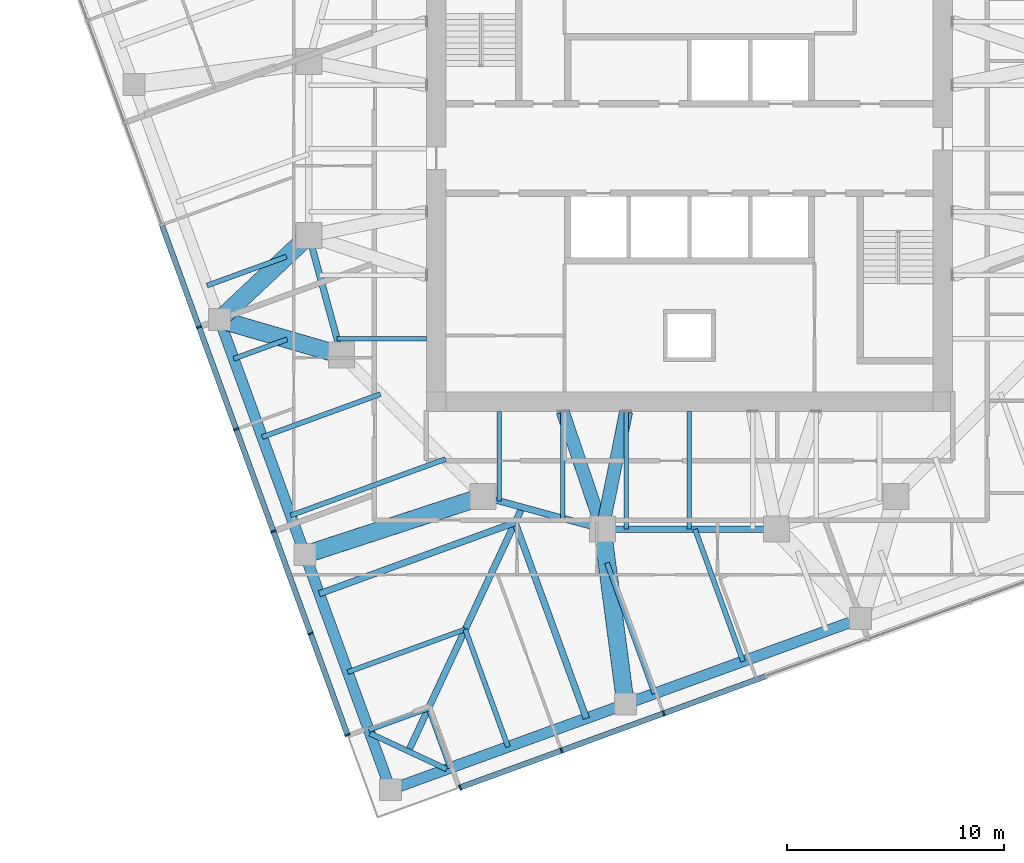
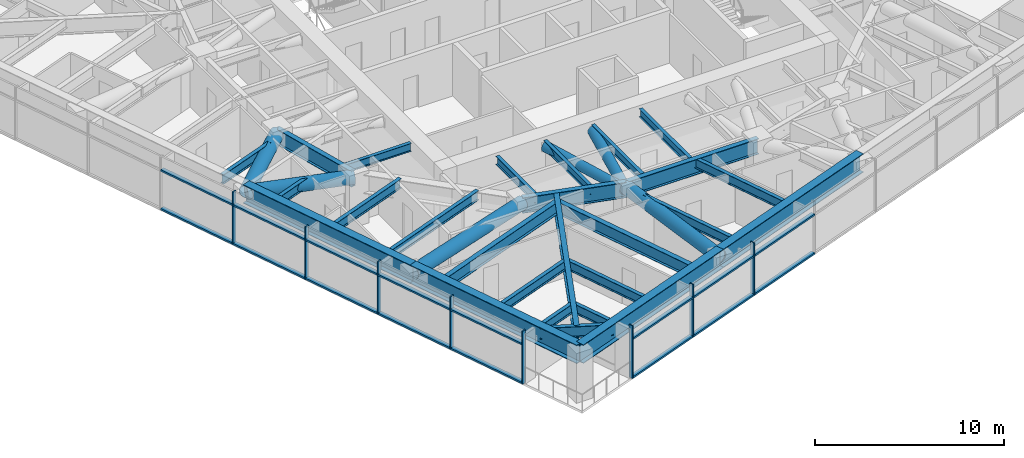
# One storey, part 2 of 16: 30 members, 26 beams, 2 elements without a shape of their own.
"""IFC4 building model written with IfcOpenShell, lengths in metres."""

from ifc_helpers import new_model, si_unit, direction, frame, origin, origin_2d, place, context, subcontext, project, spatial, rectangle, hollow_circle, i_section, extrude, material, material_profile, profile_set, type_object, element, aggregate, save


model = new_model("IFC4")

# Units and contexts
model_context = context("Model", 3, precision=1e-05, world=origin(), true_north=direction((0.0, 1.0)))
body_context = subcontext(model_context, "Body", "Model", "MODEL_VIEW")
ifc_project = project(units=[si_unit("LENGTHUNIT", "METRE"), si_unit("AREAUNIT", "SQUARE_METRE"), si_unit("VOLUMEUNIT", "CUBIC_METRE"), si_unit("PLANEANGLEUNIT", "RADIAN"), si_unit("MASSUNIT", "GRAM", prefix="KILO")], contexts=[model_context])

# Site, building, storey
site_placement = place(None, origin())
site = spatial("IfcSite", under=ifc_project, at=site_placement, CompositionType="ELEMENT")
building_placement = place(site_placement, origin())
building = spatial("IfcBuilding", under=site, at=building_placement, Name="Torsade Residences", CompositionType="ELEMENT")
storey_placement = place(building_placement, frame((0.0, 0.0, 167.60009765625)))
storey = spatial("IfcBuildingStorey", under=building, at=storey_placement, Name="L46", CompositionType="ELEMENT", Elevation=167.60009765625)

# Beams
ifc_material_1 = material(Name="Steel grade 300", Category="steel")
ifc_material_profile_1 = material_profile(ifc_material_1, i_section(OverallWidth=0.300048828125, OverallDepth=1.0, WebThickness=0.01611328125, FlangeThickness=0.028076171875, at=origin_2d()), Name="1000WB215")
ifc_profile_set_1 = profile_set([ifc_material_profile_1], Name="Steel grade 300")
beam_type_1 = type_object("IfcBeamType", Name="CORNER GIRDER 1000WB215", PredefinedType="BEAM", material=ifc_profile_set_1)
beam_1_placement = place(storey_placement, frame((27.075439453125, 2.282958984375, 2.699951171875), z_axis=(0.422616712682, 0.906308509373, 0.0), x_axis=(-0.906308509373, 0.422616712682, 0.0)))
element("IfcBeam", 1, at=beam_1_placement, inside=storey, type_object=beam_type_1, Name="Corner girder 01 L47", PredefinedType="BEAM", context=body_context, shape_type="SweptSolid", body=[
    extrude(i_section(OverallWidth=0.300048828125, OverallDepth=1.0, WebThickness=0.01611328125, FlangeThickness=0.028076171875, at=origin_2d()), origin(), (0.0, 0.0, 1.0), 12.3837890625),
])
ifc_material_2 = material(Name="Steel grade 300", Category="steel")
ifc_material_profile_2 = material_profile(ifc_material_2, i_section(OverallWidth=0.25, OverallDepth=0.699951171875, WebThickness=0.010009765625, FlangeThickness=0.02001953125, at=origin_2d()), Name="700WB130")
ifc_profile_set_2 = profile_set([ifc_material_profile_2], Name="Steel grade 300")
beam_type_2 = type_object("IfcBeamType", Name="CORNER TRIMMER 700WB130", PredefinedType="BEAM", material=ifc_profile_set_2)
beam_2_placement = place(storey_placement, frame((28.837646484375, 1.461181640625, 2.849853515625), z_axis=(-0.906309798645, 0.422613947806, 0.0), x_axis=(-0.422613947806, -0.906309798645, 0.0)))
element("IfcBeam", 2, at=beam_2_placement, inside=storey, type_object=beam_type_2, Name="Corner trimmer 01 L47", PredefinedType="BEAM", context=body_context, shape_type="SweptSolid", body=[
    extrude(i_section(OverallWidth=0.25, OverallDepth=0.699951171875, WebThickness=0.010009765625, FlangeThickness=0.02001953125, at=origin_2d()), origin(), (0.0, 0.0, 1.0), 3.888916015625),
])
ifc_material_3 = material(Name="Steel grade 300", Category="steel")
ifc_material_profile_3 = material_profile(ifc_material_3, i_section(OverallWidth=0.208984375, OverallDepth=0.528076171875, WebThickness=0.009521484375, FlangeThickness=0.01318359375, FilletRadius=0.013916015625, at=origin_2d()), Name="530UB82.0")
ifc_profile_set_3 = profile_set([ifc_material_profile_3], Name="Steel grade 300")
beam_type_3 = type_object("IfcBeamType", Name="INNER FLOOR BEAM 530UB82.0", PredefinedType="JOIST", material=ifc_profile_set_3)
for number, where, z_axis, x_axis, name in (
    (3, (40.0, 17.89990234375, 2.935791015625), (0.0, -1.0, 0.0), (1.0, 0.0, 0.0), "Inner floor beam IS04 L47"),
    (4, (37.08740234375, 17.89990234375, 2.935791015625), (0.0, -1.0, 0.0), (1.0, 0.0, 0.0), "Inner floor beam IS05 L47"),
):
    element("IfcBeam", number, at=place(storey_placement, frame(where, z_axis=z_axis, x_axis=x_axis)), inside=storey, type_object=beam_type_3, Name=name, PredefinedType="JOIST", context=body_context, shape_type="SweptSolid", body=[
        extrude(i_section(OverallWidth=0.208984375, OverallDepth=0.528076171875, WebThickness=0.009521484375, FlangeThickness=0.01318359375, FilletRadius=0.013916015625, at=origin_2d()), origin(), (0.0, 0.0, 1.0), 5.39990234375),
    ])
beam_3_placement = place(storey_placement, frame((34.175048828125, 17.89990234375, 2.935791015625), z_axis=(0.0, -1.0, 0.0), x_axis=(1.0, 0.0, 0.0)))
element("IfcBeam", 5, at=beam_3_placement, inside=storey, type_object=beam_type_3, Name="Inner floor beam IS06 L47", PredefinedType="JOIST", context=body_context, shape_type="SweptSolid", body=[
    extrude(i_section(OverallWidth=0.208984375, OverallDepth=0.528076171875, WebThickness=0.009521484375, FlangeThickness=0.01318359375, FilletRadius=0.013916015625, at=origin_2d()), origin(), (0.0, 0.0, 1.0), 4.902099609375),
])
for number, where, z_axis, x_axis, name in (
    (6, (31.262451171875, 17.89990234375, 2.935791015625), (0.0, -1.0, 0.0), (1.0, 0.0, 0.0), "Inner floor beam IS07 L47"),
    (7, (27.89990234375, 21.262451171875, 2.935791015625), (-1.0, 0.0, 0.0), (0.0, -1.0, 0.0), "Inner floor beam IW07 L47"),
):
    element("IfcBeam", number, at=place(storey_placement, frame(where, z_axis=z_axis, x_axis=x_axis)), inside=storey, type_object=beam_type_3, Name=name, PredefinedType="JOIST", context=body_context, shape_type="SweptSolid", body=[
        extrude(i_section(OverallWidth=0.208984375, OverallDepth=0.528076171875, WebThickness=0.009521484375, FlangeThickness=0.01318359375, FilletRadius=0.013916015625, at=origin_2d()), origin(), (0.0, 0.0, 1.0), 4.10791015625),
    ])

# Curtain wall, members
ifc_material_4 = material(Name="Aluminium and glass", Category="aluminium")
curtain_wall_type = type_object("IfcCurtainWallType", Name="FRITTED GLASS CURTAIN WALL MID ZONE", PredefinedType="NOTDEFINED", material=ifc_material_4)
curtain_wall_1_placement = place(storey_placement, origin())
curtain_wall_1 = element("IfcCurtainWall", 8, at=curtain_wall_1_placement, inside=storey, type_object=curtain_wall_type, Name="Curtain wall L46 face 1", PredefinedType="NOTDEFINED")
ifc_material_5 = material(Name="Aluminium mullion", Category="aluminium")
ifc_material_profile_4 = material_profile(ifc_material_5, rectangle(XDim=0.25, YDim=0.080078125, at=origin_2d()), Name="MID ZONE CURTAIN WALL MULLION 250x80")
ifc_profile_set_4 = profile_set([ifc_material_profile_4], Name="Aluminium mullion")
member_type_1 = type_object("IfcMemberType", Name="MID ZONE CURTAIN WALL MULLION 250x80", PredefinedType="MULLION", material=ifc_profile_set_4)
member_1_placement = place(storey_placement, frame((29.4521484375, 0.62060546875, 0.0), z_axis=(0.0, 0.0, 1.0), x_axis=(-0.342020147869, 0.939692619132, 0.0)))
member_1 = element("IfcMember", 9, at=member_1_placement, type_object=member_type_1, Name="Mullion 1", PredefinedType="MULLION", context=body_context, shape_type="SweptSolid", body=[
    extrude(rectangle(XDim=0.25, YDim=0.080078125, at=origin_2d()), origin(), (0.0, 0.0, 1.0), 3.39990234375),
])
member_2_placement = place(storey_placement, frame((34.113037109375, 2.317138671875, 0.0), z_axis=(0.0, 0.0, 1.0), x_axis=(-0.342020147869, 0.939692619132, 0.0)))
member_2 = element("IfcMember", 10, at=member_2_placement, type_object=member_type_1, Name="Mullion 2", PredefinedType="MULLION", context=body_context, shape_type="SweptSolid", body=[
    extrude(rectangle(XDim=0.25, YDim=0.080078125, at=origin_2d()), origin(), (0.0, 0.0, 1.0), 3.39990234375),
])
member_3_placement = place(storey_placement, frame((38.8115234375, 4.027099609375, 0.0), z_axis=(0.0, 0.0, 1.0), x_axis=(-0.342020147869, 0.939692619132, 0.0)))
member_3 = element("IfcMember", 11, at=member_3_placement, type_object=member_type_1, Name="Mullion 3", PredefinedType="MULLION", context=body_context, shape_type="SweptSolid", body=[
    extrude(rectangle(XDim=0.25, YDim=0.080078125, at=origin_2d()), origin(), (0.0, 0.0, 1.0), 3.39990234375),
])

curtain_wall_2_placement = place(storey_placement, origin())
curtain_wall_2 = element("IfcCurtainWall", 12, at=curtain_wall_2_placement, inside=storey, type_object=curtain_wall_type, Name="Curtain wall L46 face 10", PredefinedType="NOTDEFINED")
member_4_placement = place(storey_placement, frame((17.447265625, 21.79150390625, 0.0), z_axis=(0.0, 0.0, 1.0), x_axis=(0.939692619132, 0.342020147869, 0.0)))
member_4 = element("IfcMember", 13, at=member_4_placement, type_object=member_type_1, Name="Mullion 5", PredefinedType="MULLION", context=body_context, shape_type="SweptSolid", body=[
    extrude(rectangle(XDim=0.25, YDim=0.080078125, at=origin_2d()), origin(), (0.0, 0.0, 1.0), 3.39990234375),
])
member_5_placement = place(storey_placement, frame((19.157470703125, 17.093017578125, 0.0), z_axis=(0.0, 0.0, 1.0), x_axis=(0.939692619132, 0.342020147869, 0.0)))
member_5 = element("IfcMember", 14, at=member_5_placement, type_object=member_type_1, Name="Mullion 6", PredefinedType="MULLION", context=body_context, shape_type="SweptSolid", body=[
    extrude(rectangle(XDim=0.25, YDim=0.080078125, at=origin_2d()), origin(), (0.0, 0.0, 1.0), 3.39990234375),
])
member_6_placement = place(storey_placement, frame((20.86767578125, 12.39453125, 0.0), z_axis=(0.0, 0.0, 1.0), x_axis=(0.939692619132, 0.342020147869, 0.0)))
member_6 = element("IfcMember", 15, at=member_6_placement, type_object=member_type_1, Name="Mullion 7", PredefinedType="MULLION", context=body_context, shape_type="SweptSolid", body=[
    extrude(rectangle(XDim=0.25, YDim=0.080078125, at=origin_2d()), origin(), (0.0, 0.0, 1.0), 3.39990234375),
])
member_7_placement = place(storey_placement, frame((22.57763671875, 7.696044921875, 0.0), z_axis=(0.0, 0.0, 1.0), x_axis=(0.939692619132, 0.342020147869, 0.0)))
member_7 = element("IfcMember", 16, at=member_7_placement, type_object=member_type_1, Name="Mullion 8", PredefinedType="MULLION", context=body_context, shape_type="SweptSolid", body=[
    extrude(rectangle(XDim=0.25, YDim=0.080078125, at=origin_2d()), origin(), (0.0, 0.0, 1.0), 3.39990234375),
])
member_8_placement = place(storey_placement, frame((24.274169921875, 3.03515625, 0.0), z_axis=(0.0, 0.0, 1.0), x_axis=(0.939692619132, 0.342020147869, 0.0)))
member_8 = element("IfcMember", 17, at=member_8_placement, type_object=member_type_1, Name="Mullion 9", PredefinedType="MULLION", context=body_context, shape_type="SweptSolid", body=[
    extrude(rectangle(XDim=0.25, YDim=0.080078125, at=origin_2d()), origin(), (0.0, 0.0, 1.0), 3.39990234375),
])

# Member
ifc_material_6 = material(Name="Aluminium transom", Category="aluminium")
ifc_material_profile_5 = material_profile(ifc_material_6, rectangle(XDim=0.25, YDim=0.110107421875, at=origin_2d()), Name="MID ZONE CURTAIN WALL TRANSOM 250x110")
ifc_profile_set_5 = profile_set([ifc_material_profile_5], Name="Aluminium transom")
member_type_2 = type_object("IfcMemberType", Name="MID ZONE CURTAIN WALL TRANSOM 250x110", PredefinedType="USERDEFINED", material=ifc_profile_set_5)
member_9_placement = place(storey_placement, frame((29.48974609375, 0.63427734375, 0.054931640625), z_axis=(0.939683823915, 0.342044311564, 0.0), x_axis=(-0.342044311564, 0.939683823915, 0.0)))
member_9 = element("IfcMember", 18, at=member_9_placement, type_object=member_type_2, Name="Transom 1.1", ObjectType="TRANSOM", PredefinedType="USERDEFINED", context=body_context, shape_type="SweptSolid", body=[
    extrude(rectangle(XDim=0.25, YDim=0.110107421875, at=origin_2d()), origin(), (0.0, 0.0, 1.0), 4.880126953125),
])

member_10_placement = place(storey_placement, frame((29.48974609375, 0.63427734375, 2.554931640625), z_axis=(0.939683823915, 0.342044311564, 0.0), x_axis=(-0.342044311564, 0.939683823915, 0.0)))
member_10 = element("IfcMember", 19, at=member_10_placement, type_object=member_type_2, Name="Transom 1.2", ObjectType="TRANSOM", PredefinedType="USERDEFINED", context=body_context, shape_type="SweptSolid", body=[
    extrude(rectangle(XDim=0.25, YDim=0.110107421875, at=origin_2d()), origin(), (0.0, 0.0, 1.0), 4.880126953125),
])

member_11_placement = place(storey_placement, frame((34.150634765625, 2.330810546875, 0.054931640625), z_axis=(0.9397006637, 0.341998044792, 0.0), x_axis=(-0.341998044792, 0.9397006637, 0.0)))
member_11 = element("IfcMember", 20, at=member_11_placement, type_object=member_type_2, Name="Transom 2.1", ObjectType="TRANSOM", PredefinedType="USERDEFINED", context=body_context, shape_type="SweptSolid", body=[
    extrude(rectangle(XDim=0.25, YDim=0.110107421875, at=origin_2d()), origin(), (0.0, 0.0, 1.0), 4.919921875),
])

member_12_placement = place(storey_placement, frame((34.150634765625, 2.330810546875, 2.554931640625), z_axis=(0.9397006637, 0.341998044792, 0.0), x_axis=(-0.341998044792, 0.9397006637, 0.0)))
member_12 = element("IfcMember", 21, at=member_12_placement, type_object=member_type_2, Name="Transom 2.2", ObjectType="TRANSOM", PredefinedType="USERDEFINED", context=body_context, shape_type="SweptSolid", body=[
    extrude(rectangle(XDim=0.25, YDim=0.110107421875, at=origin_2d()), origin(), (0.0, 0.0, 1.0), 4.919921875),
])

member_13_placement = place(storey_placement, frame((38.84912109375, 4.040771484375, 0.054931640625), z_axis=(0.93968471549, 0.342041862168, 0.0), x_axis=(-0.342041862168, 0.93968471549, 0.0)))
member_13 = element("IfcMember", 22, at=member_13_placement, type_object=member_type_2, Name="Transom 3.1", ObjectType="TRANSOM", PredefinedType="USERDEFINED", context=body_context, shape_type="SweptSolid", body=[
    extrude(rectangle(XDim=0.25, YDim=0.110107421875, at=origin_2d()), origin(), (0.0, 0.0, 1.0), 4.920166015625),
])

member_14_placement = place(storey_placement, frame((38.84912109375, 4.040771484375, 2.554931640625), z_axis=(0.93968471549, 0.342041862168, 0.0), x_axis=(-0.342041862168, 0.93968471549, 0.0)))
member_14 = element("IfcMember", 23, at=member_14_placement, type_object=member_type_2, Name="Transom 3.2", ObjectType="TRANSOM", PredefinedType="USERDEFINED", context=body_context, shape_type="SweptSolid", body=[
    extrude(rectangle(XDim=0.25, YDim=0.110107421875, at=origin_2d()), origin(), (0.0, 0.0, 1.0), 4.920166015625),
])

aggregate(curtain_wall_1, [member_1, member_2, member_3, member_9, member_10, member_11, member_12, member_13, member_14])

member_15_placement = place(storey_placement, frame((15.7509765625, 26.452392578125, 0.054931640625), z_axis=(0.341998044792, -0.9397006637, 0.0), x_axis=(0.9397006637, 0.341998044792, 0.0)))
member_15 = element("IfcMember", 24, at=member_15_placement, type_object=member_type_2, Name="Transom 4.1", ObjectType="TRANSOM", PredefinedType="USERDEFINED", context=body_context, shape_type="SweptSolid", body=[
    extrude(rectangle(XDim=0.25, YDim=0.110107421875, at=origin_2d()), origin(), (0.0, 0.0, 1.0), 4.919921875),
])

member_16_placement = place(storey_placement, frame((15.7509765625, 26.452392578125, 2.554931640625), z_axis=(0.341998044792, -0.9397006637, 0.0), x_axis=(0.9397006637, 0.341998044792, 0.0)))
member_16 = element("IfcMember", 25, at=member_16_placement, type_object=member_type_2, Name="Transom 4.2", ObjectType="TRANSOM", PredefinedType="USERDEFINED", context=body_context, shape_type="SweptSolid", body=[
    extrude(rectangle(XDim=0.25, YDim=0.110107421875, at=origin_2d()), origin(), (0.0, 0.0, 1.0), 4.919921875),
])

member_17_placement = place(storey_placement, frame((17.4609375, 21.75390625, 0.054931640625), z_axis=(0.342041862168, -0.93968471549, 0.0), x_axis=(0.93968471549, 0.342041862168, 0.0)))
member_17 = element("IfcMember", 26, at=member_17_placement, type_object=member_type_2, Name="Transom 5.1", ObjectType="TRANSOM", PredefinedType="USERDEFINED", context=body_context, shape_type="SweptSolid", body=[
    extrude(rectangle(XDim=0.25, YDim=0.110107421875, at=origin_2d()), origin(), (0.0, 0.0, 1.0), 4.920166015625),
])

member_18_placement = place(storey_placement, frame((17.4609375, 21.75390625, 2.554931640625), z_axis=(0.342041862168, -0.93968471549, 0.0), x_axis=(0.93968471549, 0.342041862168, 0.0)))
member_18 = element("IfcMember", 27, at=member_18_placement, type_object=member_type_2, Name="Transom 5.2", ObjectType="TRANSOM", PredefinedType="USERDEFINED", context=body_context, shape_type="SweptSolid", body=[
    extrude(rectangle(XDim=0.25, YDim=0.110107421875, at=origin_2d()), origin(), (0.0, 0.0, 1.0), 4.920166015625),
])

member_19_placement = place(storey_placement, frame((19.171142578125, 17.055419921875, 0.054931640625), z_axis=(0.342041862168, -0.93968471549, 0.0), x_axis=(0.93968471549, 0.342041862168, 0.0)))
member_19 = element("IfcMember", 28, at=member_19_placement, type_object=member_type_2, Name="Transom 6.1", ObjectType="TRANSOM", PredefinedType="USERDEFINED", context=body_context, shape_type="SweptSolid", body=[
    extrude(rectangle(XDim=0.25, YDim=0.110107421875, at=origin_2d()), origin(), (0.0, 0.0, 1.0), 4.920166015625),
])

member_20_placement = place(storey_placement, frame((19.171142578125, 17.055419921875, 2.554931640625), z_axis=(0.342041862168, -0.93968471549, 0.0), x_axis=(0.93968471549, 0.342041862168, 0.0)))
member_20 = element("IfcMember", 29, at=member_20_placement, type_object=member_type_2, Name="Transom 6.2", ObjectType="TRANSOM", PredefinedType="USERDEFINED", context=body_context, shape_type="SweptSolid", body=[
    extrude(rectangle(XDim=0.25, YDim=0.110107421875, at=origin_2d()), origin(), (0.0, 0.0, 1.0), 4.920166015625),
])

member_21_placement = place(storey_placement, frame((20.88134765625, 12.35693359375, 0.054931640625), z_axis=(0.341998044792, -0.9397006637, 0.0), x_axis=(0.9397006637, 0.341998044792, 0.0)))
member_21 = element("IfcMember", 30, at=member_21_placement, type_object=member_type_2, Name="Transom 7.1", ObjectType="TRANSOM", PredefinedType="USERDEFINED", context=body_context, shape_type="SweptSolid", body=[
    extrude(rectangle(XDim=0.25, YDim=0.110107421875, at=origin_2d()), origin(), (0.0, 0.0, 1.0), 4.919921875),
])

member_22_placement = place(storey_placement, frame((20.88134765625, 12.35693359375, 2.554931640625), z_axis=(0.341998044792, -0.9397006637, 0.0), x_axis=(0.9397006637, 0.341998044792, 0.0)))
member_22 = element("IfcMember", 31, at=member_22_placement, type_object=member_type_2, Name="Transom 7.2", ObjectType="TRANSOM", PredefinedType="USERDEFINED", context=body_context, shape_type="SweptSolid", body=[
    extrude(rectangle(XDim=0.25, YDim=0.110107421875, at=origin_2d()), origin(), (0.0, 0.0, 1.0), 4.919921875),
])

member_23_placement = place(storey_placement, frame((22.59130859375, 7.658447265625, 0.054931640625), z_axis=(0.342044311564, -0.939683823915, 0.0), x_axis=(0.939683823915, 0.342044311564, 0.0)))
member_23 = element("IfcMember", 32, at=member_23_placement, type_object=member_type_2, Name="Transom 8.1", ObjectType="TRANSOM", PredefinedType="USERDEFINED", context=body_context, shape_type="SweptSolid", body=[
    extrude(rectangle(XDim=0.25, YDim=0.110107421875, at=origin_2d()), origin(), (0.0, 0.0, 1.0), 4.880126953125),
])

member_24_placement = place(storey_placement, frame((22.59130859375, 7.658447265625, 2.554931640625), z_axis=(0.342044311564, -0.939683823915, 0.0), x_axis=(0.939683823915, 0.342044311564, 0.0)))
member_24 = element("IfcMember", 33, at=member_24_placement, type_object=member_type_2, Name="Transom 8.2", ObjectType="TRANSOM", PredefinedType="USERDEFINED", context=body_context, shape_type="SweptSolid", body=[
    extrude(rectangle(XDim=0.25, YDim=0.110107421875, at=origin_2d()), origin(), (0.0, 0.0, 1.0), 4.880126953125),
])

aggregate(curtain_wall_2, [member_4, member_5, member_6, member_7, member_8, member_15, member_16, member_17, member_18, member_19, member_20, member_21, member_22, member_23, member_24])

# Beams
ifc_material_7 = material(Name="Steel grade 300", Category="steel")
ifc_material_profile_6 = material_profile(ifc_material_7, i_section(OverallWidth=0.300048828125, OverallDepth=1.0, WebThickness=0.01611328125, FlangeThickness=0.028076171875, at=origin_2d()), Name="1000WB215")
ifc_profile_set_6 = profile_set([ifc_material_profile_6], Name="Steel grade 300")
beam_type_4 = type_object("IfcBeamType", Name="RING GIRDER 1000WB215", PredefinedType="BEAM", material=ifc_profile_set_6)
for number, where, z_axis, x_axis, name in (
    (34, (22.5, 26.0, 2.699951171875), (0.263117405792, -0.964763821238, 0.0), (0.964763821238, 0.263117405792, 0.0), "Ring girder IR10 L47"),
    (35, (30.5, 14.0, 2.699951171875), (0.964763821238, -0.263117405792, 0.0), (0.263117405792, 0.964763821238, 0.0), "Ring girder IR12 L47"),
):
    element("IfcBeam", number, at=place(storey_placement, frame(where, z_axis=z_axis, x_axis=x_axis)), inside=storey, type_object=beam_type_4, Name=name, PredefinedType="BEAM", context=body_context, shape_type="SweptSolid", body=[
        extrude(i_section(OverallWidth=0.300048828125, OverallDepth=1.0, WebThickness=0.01611328125, FlangeThickness=0.028076171875, at=origin_2d()), origin(), (0.0, 0.0, 1.0), 5.700927734375),
    ])
beam_4_placement = place(storey_placement, frame((36.0, 12.5, 2.699951171875), z_axis=(1.0, 0.0, 0.0), x_axis=(0.0, 1.0, 0.0)))
element("IfcBeam", 36, at=beam_4_placement, inside=storey, type_object=beam_type_4, Name="Ring girder IR13 L47", PredefinedType="BEAM", context=body_context, shape_type="SweptSolid", body=[
    extrude(i_section(OverallWidth=0.300048828125, OverallDepth=1.0, WebThickness=0.01611328125, FlangeThickness=0.028076171875, at=origin_2d()), origin(), (0.0, 0.0, 1.0), 8.0),
])
ifc_material_8 = material(Name="Steel grade 300", Category="steel")
ifc_material_profile_7 = material_profile(ifc_material_8, i_section(OverallWidth=0.22900390625, OverallDepth=0.612060546875, WebThickness=0.011962890625, FlangeThickness=0.01953125, FilletRadius=0.013916015625, at=origin_2d()), Name="610UB125")
ifc_profile_set_7 = profile_set([ifc_material_profile_7], Name="Steel grade 300")
beam_type_5 = type_object("IfcBeamType", Name="SECONDARY BEAM 610UB125", PredefinedType="JOIST", material=ifc_profile_set_7)
beam_5_placement = place(storey_placement, frame((28.994384765625, 1.51806640625, 2.893798828125), z_axis=(-0.341998427281, 0.939700524495, 0.0), x_axis=(-0.939700524495, -0.341998427281, 0.0)))
element("IfcBeam", 37, at=beam_5_placement, inside=storey, type_object=beam_type_5, Name="Floor beam FS01 L47", PredefinedType="JOIST", context=body_context, shape_type="SweptSolid", body=[
    extrude(i_section(OverallWidth=0.22900390625, OverallDepth=0.612060546875, WebThickness=0.011962890625, FlangeThickness=0.01953125, FilletRadius=0.013916015625, at=origin_2d()), origin(), (0.0, 0.0, 1.0), 2.916748046875),
])
beam_6_placement = place(storey_placement, frame((31.65673828125, 2.4873046875, 2.893798828125), z_axis=(-0.342019196443, 0.939692965423, 0.0), x_axis=(-0.939692965423, -0.342019196443, 0.0)))
element("IfcBeam", 38, at=beam_6_placement, inside=storey, type_object=beam_type_5, Name="Floor beam FS02 L47", PredefinedType="JOIST", context=body_context, shape_type="SweptSolid", body=[
    extrude(i_section(OverallWidth=0.22900390625, OverallDepth=0.612060546875, WebThickness=0.011962890625, FlangeThickness=0.01953125, FilletRadius=0.013916015625, at=origin_2d()), origin(), (0.0, 0.0, 1.0), 5.749755859375),
])
beam_7_placement = place(storey_placement, frame((38.39111328125, 4.9384765625, 2.893798828125), z_axis=(-0.342003699059, 0.939698605846, 0.0), x_axis=(-0.939698605846, -0.342003699059, 0.0)))
element("IfcBeam", 39, at=beam_7_placement, inside=storey, type_object=beam_type_5, Name="Floor beam FS04 L47", PredefinedType="JOIST", context=body_context, shape_type="SweptSolid", body=[
    extrude(i_section(OverallWidth=0.22900390625, OverallDepth=0.612060546875, WebThickness=0.011962890625, FlangeThickness=0.01953125, FilletRadius=0.013916015625, at=origin_2d()), origin(), (0.0, 0.0, 1.0), 6.392578125),
])
beam_8_placement = place(storey_placement, frame((42.463134765625, 6.42041015625, 2.893798828125), z_axis=(-0.342000590983, 0.939699737026, 0.0), x_axis=(-0.939699737026, -0.342000590983, 0.0)))
element("IfcBeam", 40, at=beam_8_placement, inside=storey, type_object=beam_type_5, Name="Floor beam FS05 L47", PredefinedType="JOIST", context=body_context, shape_type="SweptSolid", body=[
    extrude(i_section(OverallWidth=0.22900390625, OverallDepth=0.612060546875, WebThickness=0.011962890625, FlangeThickness=0.01953125, FilletRadius=0.013916015625, at=origin_2d()), origin(), (0.0, 0.0, 1.0), 6.4697265625),
])
beam_9_placement = place(storey_placement, frame((17.817138671875, 23.69970703125, 2.893798828125), z_axis=(0.939703434875, 0.341990430397, 0.0), x_axis=(-0.341990430397, 0.939703434875, 0.0)))
element("IfcBeam", 41, at=beam_9_placement, inside=storey, type_object=beam_type_5, Name="Floor beam FW06 L47", PredefinedType="JOIST", context=body_context, shape_type="SweptSolid", body=[
    extrude(i_section(OverallWidth=0.22900390625, OverallDepth=0.612060546875, WebThickness=0.011962890625, FlangeThickness=0.01953125, FilletRadius=0.013916015625, at=origin_2d()), origin(), (0.0, 0.0, 1.0), 3.8828125),
])
beam_10_placement = place(storey_placement, frame((19.042724609375, 20.33251953125, 2.893798828125), z_axis=(0.93968711043, 0.342035282523, 0.0), x_axis=(-0.342035282523, 0.93968711043, 0.0)))
element("IfcBeam", 42, at=beam_10_placement, inside=storey, type_object=beam_type_5, Name="Floor beam FW07 L47", PredefinedType="JOIST", context=body_context, shape_type="SweptSolid", body=[
    extrude(i_section(OverallWidth=0.22900390625, OverallDepth=0.612060546875, WebThickness=0.011962890625, FlangeThickness=0.01953125, FilletRadius=0.013916015625, at=origin_2d()), origin(), (0.0, 0.0, 1.0), 2.615966796875),
])
beam_11_placement = place(storey_placement, frame((20.353759765625, 16.730224609375, 2.893798828125), z_axis=(0.939687428295, 0.342034409239, 0.0), x_axis=(-0.342034409239, 0.939687428295, 0.0)))
element("IfcBeam", 43, at=beam_11_placement, inside=storey, type_object=beam_type_5, Name="Floor beam FW08 L47", PredefinedType="JOIST", context=body_context, shape_type="SweptSolid", body=[
    extrude(i_section(OverallWidth=0.22900390625, OverallDepth=0.612060546875, WebThickness=0.011962890625, FlangeThickness=0.01953125, FilletRadius=0.013916015625, at=origin_2d()), origin(), (0.0, 0.0, 1.0), 5.785888671875),
])
beam_12_placement = place(storey_placement, frame((21.664794921875, 13.128173828125, 2.893798828125), z_axis=(0.939689847531, 0.342027762686, 0.0), x_axis=(-0.342027762686, 0.939689847531, 0.0)))
element("IfcBeam", 44, at=beam_12_placement, inside=storey, type_object=beam_type_5, Name="Floor beam FW09 L47", PredefinedType="JOIST", context=body_context, shape_type="SweptSolid", body=[
    extrude(i_section(OverallWidth=0.22900390625, OverallDepth=0.612060546875, WebThickness=0.011962890625, FlangeThickness=0.01953125, FilletRadius=0.013916015625, at=origin_2d()), origin(), (0.0, 0.0, 1.0), 7.573486328125),
])
beam_13_placement = place(storey_placement, frame((24.286865234375, 5.923828125, 2.893798828125), z_axis=(0.939697932031, 0.342005550448, 0.0), x_axis=(-0.342005550448, 0.939697932031, 0.0)))
element("IfcBeam", 45, at=beam_13_placement, inside=storey, type_object=beam_type_5, Name="Floor beam FW11 L47", PredefinedType="JOIST", context=body_context, shape_type="SweptSolid", body=[
    extrude(i_section(OverallWidth=0.22900390625, OverallDepth=0.612060546875, WebThickness=0.011962890625, FlangeThickness=0.01953125, FilletRadius=0.013916015625, at=origin_2d()), origin(), (0.0, 0.0, 1.0), 5.75),
])
beam_14_placement = place(storey_placement, frame((25.255859375, 3.261474609375, 2.893798828125), z_axis=(0.939700524495, 0.341998427281, 0.0), x_axis=(-0.341998427281, 0.939700524495, 0.0)))
element("IfcBeam", 46, at=beam_14_placement, inside=storey, type_object=beam_type_5, Name="Floor beam FW12 L47", PredefinedType="JOIST", context=body_context, shape_type="SweptSolid", body=[
    extrude(i_section(OverallWidth=0.22900390625, OverallDepth=0.612060546875, WebThickness=0.011962890625, FlangeThickness=0.01953125, FilletRadius=0.013916015625, at=origin_2d()), origin(), (0.0, 0.0, 1.0), 2.916748046875),
])
ifc_material_9 = material(Name="Steel grade 300", Category="steel")
ifc_material_profile_8 = material_profile(ifc_material_9, i_section(OverallWidth=0.300048828125, OverallDepth=0.800048828125, WebThickness=0.010009765625, FlangeThickness=0.02001953125, at=origin_2d()), Name="800WB146")
ifc_profile_set_8 = profile_set([ifc_material_profile_8], Name="Steel grade 300")
beam_type_6 = type_object("IfcBeamType", Name="SECONDARY BEAM 800WB146", PredefinedType="JOIST", material=ifc_profile_set_8)
for number, where, z_axis, x_axis, name in (
    (47, (35.259033203125, 3.79833984375, 2.7998046875), (-0.342033504181, 0.939687757725, 0.0), (-0.939687757725, -0.342033504181, 0.0), "Floor beam FS03 L47"),
    (48, (22.975830078125, 9.52587890625, 2.7998046875), (0.939687757725, 0.342033504181, 0.0), (-0.342033504181, 0.939687757725, 0.0), "Floor beam FW10 L47"),
):
    element("IfcBeam", number, at=place(storey_placement, frame(where, z_axis=z_axis, x_axis=x_axis)), inside=storey, type_object=beam_type_6, Name=name, PredefinedType="JOIST", context=body_context, shape_type="SweptSolid", body=[
        extrude(i_section(OverallWidth=0.300048828125, OverallDepth=0.800048828125, WebThickness=0.010009765625, FlangeThickness=0.02001953125, at=origin_2d()), origin(), (0.0, 0.0, 1.0), 9.583251953125),
    ])

# Members
ifc_material_10 = material(Name="Steel grade 450", Category="steel")
ifc_material_profile_9 = material_profile(ifc_material_10, hollow_circle(Radius=0.304931640625, WallThickness=0.01611328125, at=origin_2d()), Name="610.0x16.0CHS")
ifc_profile_set_9 = profile_set([ifc_material_profile_9], Name="Steel grade 450")
member_type_3 = type_object("IfcMemberType", Name="TRANSFER FLOOR BRACE 610.0x16.0CHS", PredefinedType="BRACE", material=ifc_profile_set_9)
member_25_placement = place(storey_placement, frame((36.0, 12.5, 2.599853515625), z_axis=(0.197299045909, 0.97976207845, 0.03375434957), x_axis=(-0.980320704809, 0.197411538983, 0.0)))
element("IfcMember", 49, at=member_25_placement, inside=storey, type_object=member_type_3, Name="Transfer floor brace TT5 bottom IR13IS05", PredefinedType="BRACE", context=body_context, shape_type="SweptSolid", body=[
    extrude(hollow_circle(Radius=0.304931640625, WallThickness=0.01611328125, at=origin_2d()), origin(), (0.0, 0.0, 1.0), 5.511474609375),
])
member_26_placement = place(storey_placement, frame((36.0, 12.5, 2.599853515625), z_axis=(-0.319999474368, 0.946855969774, 0.032620682203), x_axis=(-0.947360151124, -0.320169867513, 0.0)))
element("IfcMember", 50, at=member_26_placement, inside=storey, type_object=member_type_3, Name="Transfer floor brace TT5 bottom IR13IS06", PredefinedType="BRACE", context=body_context, shape_type="SweptSolid", body=[
    extrude(hollow_circle(Radius=0.304931640625, WallThickness=0.01611328125, at=origin_2d()), origin(), (0.0, 0.0, 1.0), 5.702880859375),
])
ifc_material_11 = material(Name="Steel grade 450", Category="steel")
ifc_material_profile_10 = material_profile(ifc_material_11, hollow_circle(Radius=0.406494140625, WallThickness=0.02490234375, at=origin_2d()), Name="813.0x25.0CHS")
ifc_profile_set_10 = profile_set([ifc_material_profile_10], Name="Steel grade 450")
member_type_4 = type_object("IfcMemberType", Name="TRANSFER FLOOR STRUT 813.0x25.0CHS", PredefinedType="STRUT", material=ifc_profile_set_10)
member_27_placement = place(storey_placement, frame((37.06005859375, 4.453857421875, 2.7998046875), z_axis=(-0.130618705739, 0.991432677347, 0.0), x_axis=(-0.991432677347, -0.130618705739, 0.0)))
element("IfcMember", 51, at=member_27_placement, inside=storey, type_object=member_type_4, Name="Transfer floor strut TT5 bottom 02IR13", PredefinedType="STRUT", context=body_context, shape_type="SweptSolid", body=[
    extrude(hollow_circle(Radius=0.406494140625, WallThickness=0.02490234375, at=origin_2d()), origin(), (0.0, 0.0, 1.0), 8.11572265625),
])
member_28_placement = place(storey_placement, frame((18.386962890625, 22.133544921875, 2.7998046875), z_axis=(0.728609970603, 0.684928836258, 0.0), x_axis=(-0.684928836258, 0.728609970603, 0.0)))
element("IfcMember", 52, at=member_28_placement, inside=storey, type_object=member_type_4, Name="Transfer floor strut TT5 bottom 15IR10", PredefinedType="STRUT", context=body_context, shape_type="SweptSolid", body=[
    extrude(hollow_circle(Radius=0.406494140625, WallThickness=0.02490234375, at=origin_2d()), origin(), (0.0, 0.0, 1.0), 5.64501953125),
])
member_29_placement = place(storey_placement, frame((18.386962890625, 22.133544921875, 2.7998046875), z_axis=(0.960164945877, -0.279433850327, 0.0), x_axis=(0.279433850327, 0.960164945877, 0.0)))
element("IfcMember", 53, at=member_29_placement, inside=storey, type_object=member_type_4, Name="Transfer floor strut TT5 bottom 15IR11", PredefinedType="STRUT", context=body_context, shape_type="SweptSolid", body=[
    extrude(hollow_circle(Radius=0.406494140625, WallThickness=0.02490234375, at=origin_2d()), origin(), (0.0, 0.0, 1.0), 5.845947265625),
])
member_30_placement = place(storey_placement, frame((22.3203125, 11.3271484375, 2.7998046875), z_axis=(0.95053914703, 0.310604780972, 0.0), x_axis=(-0.310604780972, 0.95053914703, 0.0)))
element("IfcMember", 54, at=member_30_placement, inside=storey, type_object=member_type_4, Name="Transfer floor strut TT5 bottom 16IR12", PredefinedType="STRUT", context=body_context, shape_type="SweptSolid", body=[
    extrude(hollow_circle(Radius=0.406494140625, WallThickness=0.02490234375, at=origin_2d()), origin(), (0.0, 0.0, 1.0), 8.605224609375),
])

# Beams
ifc_material_12 = material(Name="Steel grade 300", Category="steel")
ifc_material_profile_11 = material_profile(ifc_material_12, i_section(OverallWidth=0.5, OverallDepth=1.199951171875, WebThickness=0.01611328125, FlangeThickness=0.0400390625, at=origin_2d()), Name="1200WB455")
ifc_profile_set_11 = profile_set([ifc_material_profile_11], Name="Steel grade 300")
beam_type_7 = type_object("IfcBeamType", Name="TRANSFER TRUSS CHORD 1200WB455", PredefinedType="USERDEFINED", material=ifc_profile_set_11)
beam_15_placement = place(storey_placement, frame((26.25341796875, 0.5205078125, 2.7998046875), z_axis=(0.93969110915, 0.342024296483, 0.0), x_axis=(-0.342024296483, 0.93969110915, 0.0)))
element("IfcBeam", 55, at=beam_15_placement, inside=storey, type_object=beam_type_7, Name="Transfer truss TT5 bottom chord 01", ObjectType="TRANSFER TRUSS CHORD", PredefinedType="USERDEFINED", context=body_context, shape_type="SweptSolid", body=[
    extrude(i_section(OverallWidth=0.5, OverallDepth=1.199951171875, WebThickness=0.01611328125, FlangeThickness=0.0400390625, at=origin_2d()), origin(), (0.0, 0.0, 1.0), 11.500244140625),
])
for number, where, z_axis, x_axis, name in (
    (56, (37.06005859375, 4.453857421875, 2.7998046875), (0.939695448801, 0.342012373318, 0.0), (-0.342012373318, 0.939695448801, 0.0), "Transfer truss TT5 bottom chord 02"),
    (57, (18.386962890625, 22.133544921875, 2.7998046875), (0.342031119628, -0.939688625666, 0.0), (0.939688625666, 0.342031119628, 0.0), "Transfer truss TT5 bottom chord 15"),
    (58, (22.3203125, 11.3271484375, 2.7998046875), (0.342005550448, -0.939697932031, 0.0), (0.939697932031, 0.342005550448, 0.0), "Transfer truss TT5 bottom chord 16"),
):
    element("IfcBeam", number, at=place(storey_placement, frame(where, z_axis=z_axis, x_axis=x_axis)), inside=storey, type_object=beam_type_7, Name=name, ObjectType="TRANSFER TRUSS CHORD", PredefinedType="USERDEFINED", context=body_context, shape_type="SweptSolid", body=[
        extrude(i_section(OverallWidth=0.5, OverallDepth=1.199951171875, WebThickness=0.01611328125, FlangeThickness=0.0400390625, at=origin_2d()), origin(), (0.0, 0.0, 1.0), 11.5),
    ])

save(model, "model.ifc")
